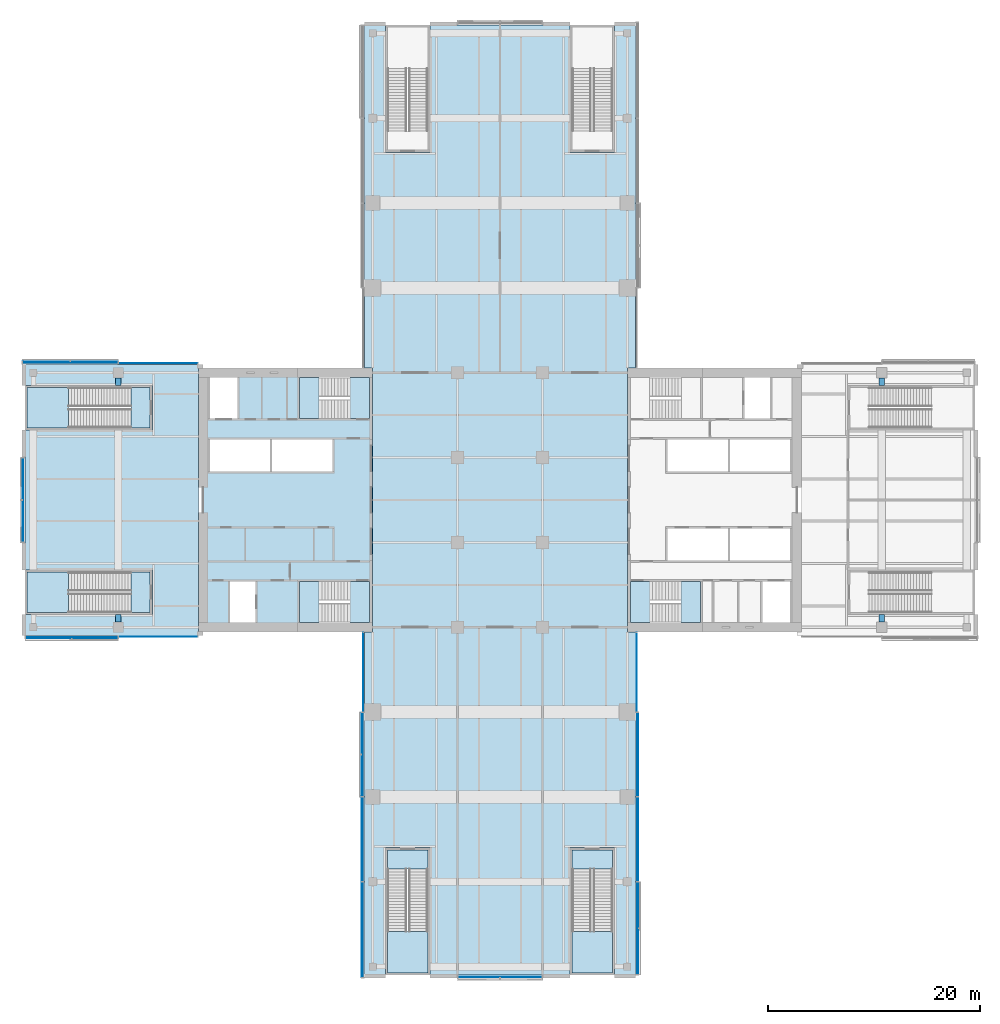
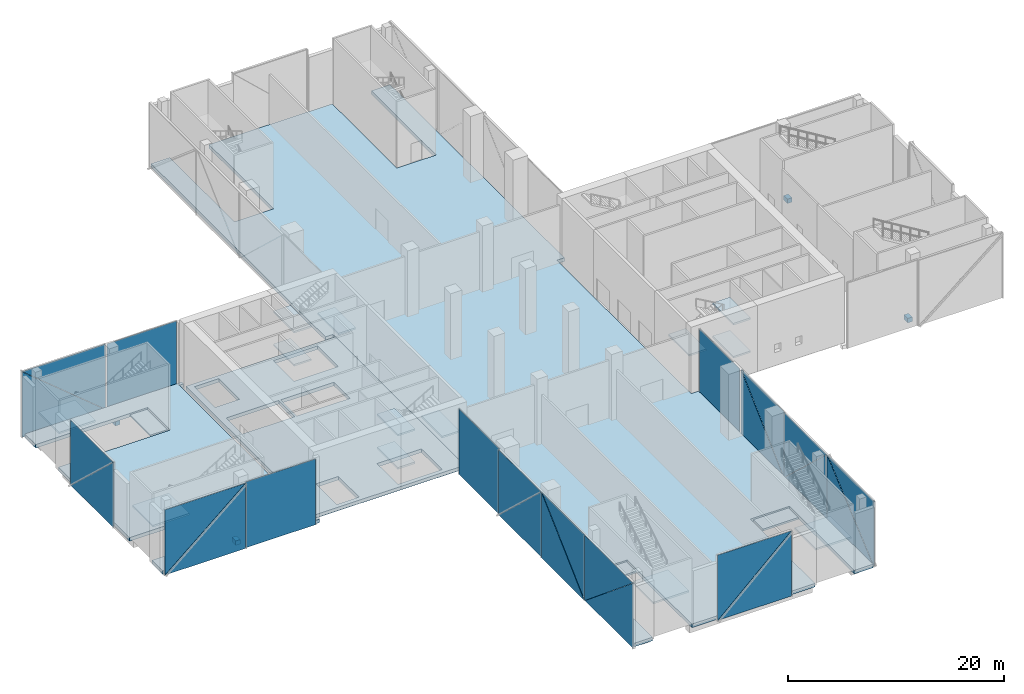
# One storey, part 12 of 25: 24 plates, 20 slabs, 4 beams, 17 elements without a shape of their own.
"""IFC4 building model written with IfcOpenShell, lengths in metres."""

import ifcopenshell
import ifcopenshell.guid

model = None  # the IFC model being written
_history = None  # IfcOwnerHistory: only IFC2X3 demands one
_inside = {}  # id of a spatial element -> (the spatial element, [elements in it])
_under = {}  # id of a project, library or spatial element -> (it, [spatial elements below it])
_declared = {}  # id of a project -> (the project, [libraries it declares])
_typed = {}  # id of a type object -> (the type object, [elements of that type])
_made_of = {}  # id of a material, layer set ... -> (it, [elements and type objects made of it])


def new_model(schema):
    """Start an empty IFC model of exactly this schema.

    Asked for "IFC4X3", IfcOpenShell would pick the latest addendum, in which some entities
    have other attributes; the version numbers below select the first issue.
    IFC2X3 requires an IfcOwnerHistory on every rooted entity: one is made here for all.
    """
    global model, _history
    if schema == "IFC4X3":
        model = ifcopenshell.file(schema_version=(4, 3, 0, 0))
    else:
        model = ifcopenshell.file(schema=schema)
    _inside.clear()
    _under.clear()
    _declared.clear()
    _typed.clear()
    _made_of.clear()
    _history = None
    if model.schema == "IFC2X3":
        org = make("IfcOrganization", Name="unknown")
        user = make(
            "IfcPersonAndOrganization",
            ThePerson=make("IfcPerson", FamilyName="unknown"),
            TheOrganization=org,
        )
        app = make(
            "IfcApplication",
            ApplicationDeveloper=org,
            Version="unknown",
            ApplicationFullName="unknown",
            ApplicationIdentifier="unknown",
        )
        _history = make(
            "IfcOwnerHistory",
            OwningUser=user,
            OwningApplication=app,
            ChangeAction="ADDED",
            CreationDate=0,
        )
    return model


def make(cls, **values):
    """One entity of the class cls with the attributes given. An attribute that is None is left unset."""
    return model.create_entity(
        cls, **{name: value for name, value in values.items() if value is not None}
    )


def rooted(cls, **values):
    """An entity with a GlobalId (a new one), such as an element, a storey or a relation."""
    return make(cls, GlobalId=ifcopenshell.guid.new(), OwnerHistory=_history, **values)


def si_unit(unit_type, name, prefix=None):
    """IfcSIUnit, for example si_unit("LENGTHUNIT", "METRE", prefix="MILLI")."""
    return make("IfcSIUnit", UnitType=unit_type, Prefix=prefix, Name=name)


def assignment(units):
    """IfcUnitAssignment: the units of a project."""
    return None if units is None else make("IfcUnitAssignment", Units=units)


def point(xyz):
    """IfcCartesianPoint."""
    return None if xyz is None else make("IfcCartesianPoint", Coordinates=xyz)


def direction(xyz):
    """IfcDirection."""
    return None if xyz is None else make("IfcDirection", DirectionRatios=xyz)


def frame(location, z_axis=None, x_axis=None):
    """IfcAxis2Placement3D, a coordinate frame: its origin and axes. An axis left out is left unset."""
    return make(
        "IfcAxis2Placement3D",
        Location=point(location),
        Axis=direction(z_axis),
        RefDirection=direction(x_axis),
    )


def frame_2d(location, x_axis=None):
    """IfcAxis2Placement2D, a coordinate frame in the plane: its origin and x axis."""
    return make(
        "IfcAxis2Placement2D", Location=point(location), RefDirection=direction(x_axis)
    )


def origin():
    """The frame at (0, 0, 0) with its axes left unset."""
    return frame((0.0, 0.0, 0.0))


def origin_2d():
    """The frame at (0, 0) in the plane with its x axis left unset."""
    return frame_2d((0.0, 0.0))


def place(relative_to, where):
    """IfcLocalPlacement: puts the frame where relative to a parent placement (None: the world)."""
    return make(
        "IfcLocalPlacement", PlacementRelTo=relative_to, RelativePlacement=where
    )


def context(
    kind, dimensions, precision=None, world=None, true_north=None, identifier=None
):
    """IfcGeometricRepresentationContext, for example the 3D "Model" context."""
    return make(
        "IfcGeometricRepresentationContext",
        ContextIdentifier=identifier,
        ContextType=kind,
        CoordinateSpaceDimension=dimensions,
        Precision=precision,
        WorldCoordinateSystem=world,
        TrueNorth=true_north,
    )


def subcontext(parent, identifier, kind, view, scale=None):
    """IfcGeometricRepresentationSubContext, for example "Body" below "Model"."""
    return make(
        "IfcGeometricRepresentationSubContext",
        ContextIdentifier=identifier,
        ContextType=kind,
        ParentContext=parent,
        TargetScale=scale,
        TargetView=view,
    )


def project(units=None, contexts=None):
    """IfcProject with its units and contexts."""
    return rooted(
        "IfcProject",
        Name="project",
        RepresentationContexts=contexts,
        UnitsInContext=assignment(units),
    )


def spatial(cls, under=None, at=None, **own):
    """A site, building, storey or space (cls), placed at a placement, below another one or the project."""
    s = rooted(cls, ObjectPlacement=at, **own)
    if under is not None:
        _under.setdefault(under.id(), (under, []))[1].append(s)
    return s


def polyline(points):
    """IfcPolyline through the points."""
    return make("IfcPolyline", Points=[point(p) for p in points])


def profile(cls, at=None, kind="AREA", **sizes):
    """A parametric profile (cls). Its sizes go by their IFC names, for example OverallWidth=200.0."""
    return make(cls, ProfileType=kind, Position=at, **sizes)


def rectangle(**sizes):
    """IfcRectangleProfileDef."""
    return profile("IfcRectangleProfileDef", **sizes)


def outline(outer, holes=None, kind="AREA"):
    """IfcArbitraryClosedProfileDef: a profile drawn as a closed curve; with holes, ...WithVoids."""
    if holes is None:
        return make("IfcArbitraryClosedProfileDef", ProfileType=kind, OuterCurve=outer)
    return make(
        "IfcArbitraryProfileDefWithVoids",
        ProfileType=kind,
        OuterCurve=outer,
        InnerCurves=holes,
    )


def extrude(swept, where, along, depth):
    """IfcExtrudedAreaSolid: the profile swept, set in the frame where, extruded along a direction by depth."""
    return make(
        "IfcExtrudedAreaSolid",
        SweptArea=swept,
        Position=where,
        ExtrudedDirection=direction(along),
        Depth=depth,
    )


def shape(context_of_items, identifier, shape_type, items):
    """IfcShapeRepresentation: the items that make up one representation, for example the "Body"."""
    return make(
        "IfcShapeRepresentation",
        ContextOfItems=context_of_items,
        RepresentationIdentifier=identifier,
        RepresentationType=shape_type,
        Items=items,
    )


def material(Name=None, Category=None):
    """IfcMaterial."""
    return make("IfcMaterial", Name=Name, Category=Category)


def layer(
    of_material, thickness, ventilated=None, Name=None, Category=None, Priority=None
):
    """IfcMaterialLayer: one layer of a wall or slab, of a material (None: an air gap)."""
    return make(
        "IfcMaterialLayer",
        Material=of_material,
        LayerThickness=thickness,
        IsVentilated=ventilated,
        Name=Name,
        Category=Category,
        Priority=Priority,
    )


def layer_set(layers, Name=None):
    """IfcMaterialLayerSet."""
    return make("IfcMaterialLayerSet", MaterialLayers=layers, LayerSetName=Name)


def material_profile(
    of_material, cross_section, Name=None, Category=None, Priority=None
):
    """IfcMaterialProfile: a cross section and its material."""
    return make(
        "IfcMaterialProfile",
        Name=Name,
        Material=of_material,
        Profile=cross_section,
        Priority=Priority,
        Category=Category,
    )


def profile_set(profiles, Name=None, composite=None):
    """IfcMaterialProfileSet."""
    return make(
        "IfcMaterialProfileSet",
        Name=Name,
        MaterialProfiles=profiles,
        CompositeProfile=composite,
    )


def made_of(thing, what):
    """Note that an element or type object is made of a material, layer set ...; save() writes the relation."""
    if what is not None:
        _made_of.setdefault(what.id(), (what, []))[1].append(thing)
    return thing


def type_object(cls, material=None, **own):
    """A type object (cls), such as IfcWallType, which elements share."""
    return made_of(rooted(cls, **own), material)


def element(
    cls,
    number,
    at=None,
    inside=None,
    cuts=None,
    type_object=None,
    material=None,
    context=None,
    identifier="Body",
    shape_type=None,
    held_by="IfcProductDefinitionShape",
    body=None,
    shapes=None,
    **own,
):
    """One element of the class cls, such as IfcWall. Its Tag is "e" and its number.

    at: its placement. inside: the storey or other place that contains it. cuts: it is an
    opening in that element (IfcRelVoidsElement). A single representation is given by context,
    identifier, shape_type and body (its items); several are given by shapes. held_by: the class
    of the entity that holds the representations. save() writes the other relations.
    """
    e = rooted(cls, Tag="e%d" % number, ObjectPlacement=at, **own)
    if body is not None:
        shapes = [shape(context, identifier, shape_type, body)]
    if shapes is not None:
        e.Representation = make(held_by, Representations=shapes)
    if inside is not None:
        _inside.setdefault(inside.id(), (inside, []))[1].append(e)
    if cuts is not None:
        rooted(
            "IfcRelVoidsElement", RelatingBuildingElement=cuts, RelatedOpeningElement=e
        )
    if type_object is not None:
        _typed.setdefault(type_object.id(), (type_object, []))[1].append(e)
    return made_of(e, material)


def aggregate(whole, parts):
    """IfcRelAggregates: a whole, such as a stair, and the parts it consists of."""
    return rooted("IfcRelAggregates", RelatingObject=whole, RelatedObjects=parts)


def save(model, path):
    """Write the relations noted so far, then the file.

    IfcRelAggregates (storeys below a building ...), IfcRelContainedInSpatialStructure (elements
    in a storey), IfcRelDefinesByType, IfcRelAssociatesMaterial and IfcRelDeclares: one each for
    every whole, place, type object, material and project.
    """
    for whole, parts in _under.values():
        aggregate(whole, parts)
    for where, things in _inside.values():
        rooted(
            "IfcRelContainedInSpatialStructure",
            RelatedElements=things,
            RelatingStructure=where,
        )
    for kind, things in _typed.values():
        rooted("IfcRelDefinesByType", RelatedObjects=things, RelatingType=kind)
    for what, things in _made_of.values():
        rooted("IfcRelAssociatesMaterial", RelatedObjects=things, RelatingMaterial=what)
    for by, libraries in _declared.values():
        rooted("IfcRelDeclares", RelatingContext=by, RelatedDefinitions=libraries)
    model.write(path)


model = new_model("IFC4")

# Units and contexts
model_context = context("Model", 3, precision=1e-05, world=origin(), true_north=direction((0.0, 1.0)))
body_context = subcontext(model_context, "Body", "Model", "MODEL_VIEW")
ifc_project = project(units=[si_unit("LENGTHUNIT", "METRE"), si_unit("AREAUNIT", "SQUARE_METRE"), si_unit("VOLUMEUNIT", "CUBIC_METRE"), si_unit("PLANEANGLEUNIT", "RADIAN"), si_unit("MASSUNIT", "GRAM", prefix="KILO")], contexts=[model_context])

# Site, building, storey
site_placement = place(None, origin())
site = spatial("IfcSite", under=ifc_project, at=site_placement, CompositionType="ELEMENT")
building_placement = place(site_placement, origin())
building = spatial("IfcBuilding", under=site, at=building_placement, Name="Crosswind Convention Tower", CompositionType="ELEMENT")
storey_placement = place(building_placement, frame((0.0, 0.0, 17.5)))
storey = spatial("IfcBuildingStorey", under=building, at=storey_placement, Name="L02", CompositionType="ELEMENT", Elevation=17.5)

# Beams
ifc_material_1 = material(Name="Concrete C60/75", Category="concrete")
ifc_material_profile = material_profile(ifc_material_1, rectangle(XDim=0.5, YDim=0.5, at=origin_2d()), Name="RC 500X500")
ifc_profile_set = profile_set([ifc_material_profile], Name="Concrete C60/75")
beam_type = type_object("IfcBeamType", Name="Slab edge tie beam RC 500X500", PredefinedType="BEAM", material=ifc_profile_set)
for number, where, z_axis, x_axis, name in (
    (1, (89.0, 88.5, -0.64990234375), (0.0, 1.0, 0.0), (-1.0, 0.0, 0.0), "B42 L02 slab edge tie beam 3"),
    (2, (89.0, 110.800048828125, -0.64990234375), (0.0, 1.0, 0.0), (-1.0, 0.0, 0.0), "B42 L02 slab edge tie beam 4"),
    (3, (161.0, 88.5, -0.64990234375), (0.0, 1.0, 0.0), (-1.0, 0.0, 0.0), "B42 L02 slab edge tie beam 13"),
    (4, (161.0, 110.800048828125, -0.64990234375), (0.0, 1.0, 0.0), (-1.0, 0.0, 0.0), "B42 L02 slab edge tie beam 14"),
):
    element("IfcBeam", number, at=place(storey_placement, frame(where, z_axis=z_axis, x_axis=x_axis)), inside=storey, type_object=beam_type, Name=name, PredefinedType="BEAM", context=body_context, shape_type="SweptSolid", body=[
        extrude(rectangle(XDim=0.5, YDim=0.5, at=origin_2d()), origin(), (0.0, 0.0, 1.0), 0.699951171875),
    ])

# Slabs
ifc_material_2 = material(Name="Concrete C40/50", Category="concrete")
ifc_layer_1 = layer(ifc_material_2, 0.39990234375)
ifc_layer_set_1 = layer_set([ifc_layer_1], Name="Concrete C40/50")
slab_type_1 = type_object("IfcSlabType", Name="Composite floor slab 400", PredefinedType="FLOOR", material=ifc_layer_set_1)
slab_1_placement = place(storey_placement, frame((0.0, 0.0, -0.39990234375)))
element("IfcSlab", 5, at=slab_1_placement, inside=storey, type_object=slab_type_1, Name="Floor slab L02 part 1", PredefinedType="FLOOR", context=body_context, shape_type="SweptSolid", body=[
    extrude(outline(polyline([(97.0, 112.449951171875), (96.550048828125, 112.449951171875), (96.550048828125, 87.550048828125), (97.0, 87.550048828125), (97.0, 87.199951171875), (81.0, 87.199951171875), (80.199951171875, 87.199951171875), (80.199951171875, 88.0), (80.199951171875, 89.199951171875), (92.199951171875, 89.199951171875), (92.199951171875, 93.39990234375), (80.199951171875, 93.39990234375), (80.199951171875, 106.60009765625), (92.199951171875, 106.60009765625), (92.199951171875, 110.800048828125), (80.199951171875, 110.800048828125), (80.199951171875, 112.0), (80.199951171875, 112.800048828125), (81.0, 112.800048828125), (97.0, 112.800048828125), (97.0, 112.449951171875)])), origin(), (0.0, 0.0, 1.0), 0.39990234375),
])
slab_2_placement = place(storey_placement, frame((0.0, 0.0, -0.39990234375)))
element("IfcSlab", 6, at=slab_2_placement, inside=storey, type_object=slab_type_1, Name="Floor slab L02 part 2", PredefinedType="FLOOR", context=body_context, shape_type="SweptSolid", body=[
    extrude(outline(polyline([(114.199951171875, 132.800048828125), (118.39990234375, 132.800048828125), (118.39990234375, 144.800048828125), (131.60009765625, 144.800048828125), (131.60009765625, 132.800048828125), (135.800048828125, 132.800048828125), (135.800048828125, 144.800048828125), (137.0, 144.800048828125), (137.800048828125, 144.800048828125), (137.800048828125, 144.0), (137.800048828125, 112.449951171875), (137.0, 112.449951171875), (137.0, 87.550048828125), (137.800048828125, 87.550048828125), (137.800048828125, 56.0), (137.800048828125, 55.199951171875), (137.0, 55.199951171875), (135.800048828125, 55.199951171875), (135.800048828125, 67.199951171875), (131.60009765625, 67.199951171875), (131.60009765625, 55.199951171875), (118.39990234375, 55.199951171875), (118.39990234375, 67.199951171875), (114.199951171875, 67.199951171875), (114.199951171875, 55.199951171875), (113.0, 55.199951171875), (112.199951171875, 55.199951171875), (112.199951171875, 56.0), (112.199951171875, 87.550048828125), (113.0, 87.550048828125), (113.0, 112.449951171875), (112.199951171875, 112.449951171875), (112.199951171875, 144.0), (112.199951171875, 144.800048828125), (113.0, 144.800048828125), (114.199951171875, 144.800048828125), (114.199951171875, 132.800048828125)])), origin(), (0.0, 0.0, 1.0), 0.39990234375),
])
ifc_layer_2 = layer(ifc_material_2, 0.39990234375)
ifc_layer_set_2 = layer_set([ifc_layer_2], Name="Concrete C40/50")
slab_type_2 = type_object("IfcSlabType", Name="Concrete core floor slab 400", PredefinedType="FLOOR", material=ifc_layer_set_2)
slab_3_placement = place(storey_placement, frame((0.0, 0.0, -0.39990234375)))
element("IfcSlab", 7, at=slab_3_placement, inside=storey, type_object=slab_type_2, Name="Core floor slab W L02", PredefinedType="FLOOR", context=body_context, shape_type="SweptSolid", body=[
    extrude(outline(polyline([(97.0, 88.0), (113.0, 88.0), (113.0, 112.0), (97.0, 112.0), (97.0, 88.0)]), holes=[polyline([(109.199951171875, 102.699951171875), (109.199951171875, 105.699951171875), (103.5, 105.699951171875), (103.5, 102.699951171875), (109.199951171875, 102.699951171875)]), polyline([(103.300048828125, 102.699951171875), (103.300048828125, 105.699951171875), (97.64990234375, 105.699951171875), (97.64990234375, 102.699951171875), (103.300048828125, 102.699951171875)]), polyline([(101.949951171875, 88.449951171875), (101.949951171875, 92.300048828125), (99.550048828125, 92.300048828125), (99.550048828125, 88.449951171875), (101.949951171875, 88.449951171875)]), polyline([(100.25, 107.699951171875), (100.25, 111.550048828125), (97.64990234375, 111.550048828125), (97.64990234375, 107.699951171875), (100.25, 107.699951171875)]), polyline([(110.85009765625, 88.449951171875), (110.85009765625, 92.300048828125), (106.10009765625, 92.300048828125), (106.10009765625, 88.449951171875), (110.85009765625, 88.449951171875)]), polyline([(110.85009765625, 107.699951171875), (110.85009765625, 111.550048828125), (106.10009765625, 111.550048828125), (106.10009765625, 107.699951171875), (110.85009765625, 107.699951171875)])]), origin(), (0.0, 0.0, 1.0), 0.39990234375),
])

# Stair, slabs
stair_type_1 = type_object("IfcStairType", Name="PODIUM EXIT STAIR 7500 RISE", PredefinedType="HALF_TURN_STAIR", material=ifc_material_2)
stair_1_placement = place(storey_placement, origin())
stair_1 = element("IfcStair", 8, at=stair_1_placement, inside=storey, type_object=stair_type_1, Name="Exit stair S1 L02", ObjectType="ST11", PredefinedType="HALF_TURN_STAIR")
ifc_layer_3 = layer(ifc_material_2, 0.199951171875)
ifc_layer_set_3 = layer_set([ifc_layer_3], Name="Concrete C40/50")
slab_type_3 = type_object("IfcSlabType", Name="PODIUM STAIR LANDING 200 FOR 22 RISERS", PredefinedType="LANDING", material=ifc_layer_set_3)
slab_4_placement = place(storey_placement, frame((0.0, 0.0, 3.550048828125)))
slab_4 = element("IfcSlab", 9, at=slab_4_placement, type_object=slab_type_3, Name="ST11 landing 1", PredefinedType="LANDING", context=body_context, shape_type="SweptSolid", body=[
    extrude(outline(polyline([(114.39990234375, 59.320068359375), (114.39990234375, 55.39990234375), (118.199951171875, 55.39990234375), (118.199951171875, 59.320068359375), (114.39990234375, 59.320068359375)])), origin(), (0.0, 0.0, 1.0), 0.199951171875),
])
slab_5_placement = place(storey_placement, frame((0.0, 0.0, -0.199951171875)))
slab_5 = element("IfcSlab", 10, at=slab_5_placement, type_object=slab_type_3, Name="ST11 landing 2", PredefinedType="LANDING", context=body_context, shape_type="SweptSolid", body=[
    extrude(outline(polyline([(114.39990234375, 67.0), (114.39990234375, 65.199951171875), (118.199951171875, 65.199951171875), (118.199951171875, 67.0), (114.39990234375, 67.0)])), origin(), (0.0, 0.0, 1.0), 0.199951171875),
])
aggregate(stair_1, [slab_4, slab_5])

stair_2_placement = place(storey_placement, origin())
stair_2 = element("IfcStair", 11, at=stair_2_placement, inside=storey, type_object=stair_type_1, Name="Exit stair S2 L02", ObjectType="ST11", PredefinedType="HALF_TURN_STAIR")
slab_6_placement = place(storey_placement, frame((0.0, 0.0, 3.550048828125)))
slab_6 = element("IfcSlab", 12, at=slab_6_placement, type_object=slab_type_3, Name="ST11 landing 1", PredefinedType="LANDING", context=body_context, shape_type="SweptSolid", body=[
    extrude(outline(polyline([(131.800048828125, 59.320068359375), (131.800048828125, 55.39990234375), (135.60009765625, 55.39990234375), (135.60009765625, 59.320068359375), (131.800048828125, 59.320068359375)])), origin(), (0.0, 0.0, 1.0), 0.199951171875),
])
slab_7_placement = place(storey_placement, frame((0.0, 0.0, -0.199951171875)))
slab_7 = element("IfcSlab", 13, at=slab_7_placement, type_object=slab_type_3, Name="ST11 landing 2", PredefinedType="LANDING", context=body_context, shape_type="SweptSolid", body=[
    extrude(outline(polyline([(131.800048828125, 67.0), (131.800048828125, 65.199951171875), (135.60009765625, 65.199951171875), (135.60009765625, 67.0), (131.800048828125, 67.0)])), origin(), (0.0, 0.0, 1.0), 0.199951171875),
])
aggregate(stair_2, [slab_6, slab_7])

stair_3_placement = place(storey_placement, origin())
stair_3 = element("IfcStair", 14, at=stair_3_placement, inside=storey, type_object=stair_type_1, Name="Exit stair W1 L02", ObjectType="ST11", PredefinedType="HALF_TURN_STAIR")
slab_8_placement = place(storey_placement, frame((0.0, 0.0, 3.550048828125)))
slab_8 = element("IfcSlab", 15, at=slab_8_placement, type_object=slab_type_3, Name="ST11 landing 1", PredefinedType="LANDING", context=body_context, shape_type="SweptSolid", body=[
    extrude(outline(polyline([(84.320068359375, 93.199951171875), (80.39990234375, 93.199951171875), (80.39990234375, 89.39990234375), (84.320068359375, 89.39990234375), (84.320068359375, 93.199951171875)])), origin(), (0.0, 0.0, 1.0), 0.199951171875),
])
slab_9_placement = place(storey_placement, frame((0.0, 0.0, -0.199951171875)))
slab_9 = element("IfcSlab", 16, at=slab_9_placement, type_object=slab_type_3, Name="ST11 landing 2", PredefinedType="LANDING", context=body_context, shape_type="SweptSolid", body=[
    extrude(outline(polyline([(92.0, 93.199951171875), (90.199951171875, 93.199951171875), (90.199951171875, 89.39990234375), (92.0, 89.39990234375), (92.0, 93.199951171875)])), origin(), (0.0, 0.0, 1.0), 0.199951171875),
])
aggregate(stair_3, [slab_8, slab_9])

stair_4_placement = place(storey_placement, origin())
stair_4 = element("IfcStair", 17, at=stair_4_placement, inside=storey, type_object=stair_type_1, Name="Exit stair W2 L02", ObjectType="ST11", PredefinedType="HALF_TURN_STAIR")
slab_10_placement = place(storey_placement, frame((0.0, 0.0, 3.550048828125)))
slab_10 = element("IfcSlab", 18, at=slab_10_placement, type_object=slab_type_3, Name="ST11 landing 1", PredefinedType="LANDING", context=body_context, shape_type="SweptSolid", body=[
    extrude(outline(polyline([(84.320068359375, 110.60009765625), (80.39990234375, 110.60009765625), (80.39990234375, 106.800048828125), (84.320068359375, 106.800048828125), (84.320068359375, 110.60009765625)])), origin(), (0.0, 0.0, 1.0), 0.199951171875),
])
slab_11_placement = place(storey_placement, frame((0.0, 0.0, -0.199951171875)))
slab_11 = element("IfcSlab", 19, at=slab_11_placement, type_object=slab_type_3, Name="ST11 landing 2", PredefinedType="LANDING", context=body_context, shape_type="SweptSolid", body=[
    extrude(outline(polyline([(92.0, 110.60009765625), (90.199951171875, 110.60009765625), (90.199951171875, 106.800048828125), (92.0, 106.800048828125), (92.0, 110.60009765625)])), origin(), (0.0, 0.0, 1.0), 0.199951171875),
])
aggregate(stair_4, [slab_10, slab_11])

stair_type_2 = type_object("IfcStairType", Name="Exit stair 1800 wide, 4 flights of 11 risers", PredefinedType="HALF_TURN_STAIR", material=ifc_material_2)
stair_5_placement = place(storey_placement, origin())
stair_5 = element("IfcStair", 20, at=stair_5_placement, inside=storey, type_object=stair_type_2, Name="Exit stair ST2 L02", ObjectType="ST6", PredefinedType="HALF_TURN_STAIR")
ifc_layer_4 = layer(ifc_material_2, 0.199951171875)
ifc_layer_set_4 = layer_set([ifc_layer_4], Name="Concrete C40/50")
slab_type_4 = type_object("IfcSlabType", Name="Stair landing 200", PredefinedType="LANDING", material=ifc_layer_set_4)
slab_12_placement = place(storey_placement, frame((0.0, 0.0, 1.675048828125)))
slab_12 = element("IfcSlab", 21, at=slab_12_placement, type_object=slab_type_4, Name="ST2 landing 1", PredefinedType="LANDING", context=body_context, shape_type="SweptSolid", body=[
    extrude(outline(polyline([(143.89990234375, 88.449951171875), (143.89990234375, 92.300048828125), (142.050048828125, 92.300048828125), (142.050048828125, 88.449951171875), (143.89990234375, 88.449951171875)])), origin(), (0.0, 0.0, 1.0), 0.199951171875),
])
slab_13_placement = place(storey_placement, frame((0.0, 0.0, 3.550048828125)))
slab_13 = element("IfcSlab", 22, at=slab_13_placement, type_object=slab_type_4, Name="ST2 landing 2", PredefinedType="LANDING", context=body_context, shape_type="SweptSolid", body=[
    extrude(outline(polyline([(139.14990234375, 88.449951171875), (139.14990234375, 92.300048828125), (137.300048828125, 92.300048828125), (137.300048828125, 88.449951171875), (139.14990234375, 88.449951171875)])), origin(), (0.0, 0.0, 1.0), 0.199951171875),
])
slab_14_placement = place(storey_placement, frame((0.0, 0.0, 5.425048828125)))
slab_14 = element("IfcSlab", 23, at=slab_14_placement, type_object=slab_type_4, Name="ST2 landing 3", PredefinedType="LANDING", context=body_context, shape_type="SweptSolid", body=[
    extrude(outline(polyline([(143.89990234375, 88.449951171875), (143.89990234375, 92.300048828125), (142.050048828125, 92.300048828125), (142.050048828125, 88.449951171875), (143.89990234375, 88.449951171875)])), origin(), (0.0, 0.0, 1.0), 0.199951171875),
])
aggregate(stair_5, [slab_12, slab_13, slab_14])

stair_6_placement = place(storey_placement, origin())
stair_6 = element("IfcStair", 24, at=stair_6_placement, inside=storey, type_object=stair_type_2, Name="Exit stair ST3 L02", ObjectType="ST6", PredefinedType="HALF_TURN_STAIR")
slab_15_placement = place(storey_placement, frame((0.0, 0.0, 1.675048828125)))
slab_15 = element("IfcSlab", 25, at=slab_15_placement, type_object=slab_type_4, Name="ST3 landing 1", PredefinedType="LANDING", context=body_context, shape_type="SweptSolid", body=[
    extrude(outline(polyline([(107.949951171875, 88.449951171875), (107.949951171875, 92.300048828125), (106.10009765625, 92.300048828125), (106.10009765625, 88.449951171875), (107.949951171875, 88.449951171875)])), origin(), (0.0, 0.0, 1.0), 0.199951171875),
])
slab_16_placement = place(storey_placement, frame((0.0, 0.0, 3.550048828125)))
slab_16 = element("IfcSlab", 26, at=slab_16_placement, type_object=slab_type_4, Name="ST3 landing 2", PredefinedType="LANDING", context=body_context, shape_type="SweptSolid", body=[
    extrude(outline(polyline([(112.699951171875, 88.449951171875), (112.699951171875, 92.300048828125), (110.85009765625, 92.300048828125), (110.85009765625, 88.449951171875), (112.699951171875, 88.449951171875)])), origin(), (0.0, 0.0, 1.0), 0.199951171875),
])
slab_17_placement = place(storey_placement, frame((0.0, 0.0, 5.425048828125)))
slab_17 = element("IfcSlab", 27, at=slab_17_placement, type_object=slab_type_4, Name="ST3 landing 3", PredefinedType="LANDING", context=body_context, shape_type="SweptSolid", body=[
    extrude(outline(polyline([(107.949951171875, 88.449951171875), (107.949951171875, 92.300048828125), (106.10009765625, 92.300048828125), (106.10009765625, 88.449951171875), (107.949951171875, 88.449951171875)])), origin(), (0.0, 0.0, 1.0), 0.199951171875),
])
aggregate(stair_6, [slab_15, slab_16, slab_17])

stair_7_placement = place(storey_placement, origin())
stair_7 = element("IfcStair", 28, at=stair_7_placement, inside=storey, type_object=stair_type_2, Name="Exit stair ST4 L02", ObjectType="ST6", PredefinedType="HALF_TURN_STAIR")
slab_18_placement = place(storey_placement, frame((0.0, 0.0, 1.675048828125)))
slab_18 = element("IfcSlab", 29, at=slab_18_placement, type_object=slab_type_4, Name="ST4 landing 1", PredefinedType="LANDING", context=body_context, shape_type="SweptSolid", body=[
    extrude(outline(polyline([(107.949951171875, 107.699951171875), (107.949951171875, 111.550048828125), (106.10009765625, 111.550048828125), (106.10009765625, 107.699951171875), (107.949951171875, 107.699951171875)])), origin(), (0.0, 0.0, 1.0), 0.199951171875),
])
slab_19_placement = place(storey_placement, frame((0.0, 0.0, 3.550048828125)))
slab_19 = element("IfcSlab", 30, at=slab_19_placement, type_object=slab_type_4, Name="ST4 landing 2", PredefinedType="LANDING", context=body_context, shape_type="SweptSolid", body=[
    extrude(outline(polyline([(112.699951171875, 107.699951171875), (112.699951171875, 111.550048828125), (110.85009765625, 111.550048828125), (110.85009765625, 107.699951171875), (112.699951171875, 107.699951171875)])), origin(), (0.0, 0.0, 1.0), 0.199951171875),
])
slab_20_placement = place(storey_placement, frame((0.0, 0.0, 5.425048828125)))
slab_20 = element("IfcSlab", 31, at=slab_20_placement, type_object=slab_type_4, Name="ST4 landing 3", PredefinedType="LANDING", context=body_context, shape_type="SweptSolid", body=[
    extrude(outline(polyline([(107.949951171875, 107.699951171875), (107.949951171875, 111.550048828125), (106.10009765625, 111.550048828125), (106.10009765625, 107.699951171875), (107.949951171875, 107.699951171875)])), origin(), (0.0, 0.0, 1.0), 0.199951171875),
])
aggregate(stair_7, [slab_18, slab_19, slab_20])

# Curtain wall, plate
ifc_material_3 = material(Name="Aluminium unitised curtain wall", Category="aluminium")
curtain_wall_type_1 = type_object("IfcCurtainWallType", Name="CORE END SLOT WALL 160", PredefinedType="USERDEFINED", material=ifc_material_3)
curtain_wall_1_placement = place(storey_placement, origin())
curtain_wall_1 = element("IfcCurtainWall", 32, at=curtain_wall_1_placement, inside=storey, type_object=curtain_wall_type_1, Name="CW6 L02 W-N.2-1 slot", ObjectType="UNITISED", PredefinedType="USERDEFINED")
ifc_material_4 = material(Name="Laminated insulating glass unit", Category="glass")
ifc_layer_5 = layer(ifc_material_4, 0.02587890625)
ifc_layer_set_5 = layer_set([ifc_layer_5], Name="TRIANGULAR GLASS PANEL 26")
plate_type_1 = type_object("IfcPlateType", Name="TRIANGULAR GLASS PANEL 26", PredefinedType="CURTAIN_PANEL", material=ifc_layer_set_5)
plate_1_placement = place(storey_placement, frame((96.5, 112.907470703125, -0.39990234375), z_axis=(0.0, 0.999999922678, 0.000393249191), x_axis=(-1.0, 0.0, 0.0)))
plate_1 = element("IfcPlate", 33, at=plate_1_placement, type_object=plate_type_1, Name="CW6 panel 1.1", PredefinedType="CURTAIN_PANEL", context=body_context, shape_type="SweptSolid", body=[
    extrude(outline(polyline([(0.0, 0.0), (7.449951171875, 0.0), (7.449951171875, 7.449951747923642), (0.0, 7.449951747923642), (0.0, 0.0)])), origin(), (0.0, 0.0, -1.0), 0.02587890625),
])
aggregate(curtain_wall_1, [plate_1])

curtain_wall_2_placement = place(storey_placement, origin())
curtain_wall_2 = element("IfcCurtainWall", 34, at=curtain_wall_2_placement, inside=storey, type_object=curtain_wall_type_1, Name="CW6 L02 W-S.1-2 slot", ObjectType="UNITISED", PredefinedType="USERDEFINED")
plate_2_placement = place(storey_placement, frame((89.050048828125, 87.092529296875, -0.39990234375), z_axis=(0.0, -0.999999922678, 0.000393249191), x_axis=(1.0, 0.0, 0.0)))
plate_2 = element("IfcPlate", 35, at=plate_2_placement, type_object=plate_type_1, Name="CW6 panel 1.1", PredefinedType="CURTAIN_PANEL", context=body_context, shape_type="SweptSolid", body=[
    extrude(outline(polyline([(0.0, 0.0), (7.449951171875, 0.0), (7.449951171875, 7.449951747923642), (0.0, 7.449951747923642), (0.0, 0.0)])), origin(), (0.0, 0.0, -1.0), 0.02587890625),
])
aggregate(curtain_wall_2, [plate_2])

curtain_wall_3_placement = place(storey_placement, origin())
curtain_wall_3 = element("IfcCurtainWall", 36, at=curtain_wall_3_placement, inside=storey, type_object=curtain_wall_type_1, Name="CW6 L02 S-W.1-1 slot", ObjectType="UNITISED", PredefinedType="USERDEFINED")
plate_3_placement = place(storey_placement, frame((112.092529296875, 87.5, -0.39990234375), z_axis=(-0.999999922678, 0.0, 0.000393249191), x_axis=(0.0, -1.0, 0.0)))
plate_3 = element("IfcPlate", 37, at=plate_3_placement, type_object=plate_type_1, Name="CW6 panel 1.1", PredefinedType="CURTAIN_PANEL", context=body_context, shape_type="SweptSolid", body=[
    extrude(outline(polyline([(0.0, 0.0), (7.449951171875, 0.0), (7.449951171875, 7.449951747923642), (0.0, 7.449951747923642), (0.0, 0.0)])), origin(), (0.0, 0.0, -1.0), 0.02587890625),
])
aggregate(curtain_wall_3, [plate_3])

curtain_wall_4_placement = place(storey_placement, origin())
curtain_wall_4 = element("IfcCurtainWall", 38, at=curtain_wall_4_placement, inside=storey, type_object=curtain_wall_type_1, Name="CW6 L02 S-E.1-4 slot", ObjectType="UNITISED", PredefinedType="USERDEFINED")
plate_4_placement = place(storey_placement, frame((137.907470703125, 80.050048828125, -0.39990234375), z_axis=(0.999999922678, 0.0, 0.000393249191), x_axis=(0.0, 1.0, 0.0)))
plate_4 = element("IfcPlate", 39, at=plate_4_placement, type_object=plate_type_1, Name="CW6 panel 1.1", PredefinedType="CURTAIN_PANEL", context=body_context, shape_type="SweptSolid", body=[
    extrude(outline(polyline([(0.0, 0.0), (7.449951171875, 0.0), (7.449951171875, 7.449951747923642), (0.0, 7.449951747923642), (0.0, 0.0)])), origin(), (0.0, 0.0, -1.0), 0.02587890625),
])
aggregate(curtain_wall_4, [plate_4])

# Curtain wall, plates
curtain_wall_type_2 = type_object("IfcCurtainWallType", Name="PODIUM UNITISED WALL 300", PredefinedType="USERDEFINED", material=ifc_material_3)
curtain_wall_5_placement = place(storey_placement, origin())
curtain_wall_5 = element("IfcCurtainWall", 40, at=curtain_wall_5_placement, inside=storey, type_object=curtain_wall_type_2, Name="CW1 L02 W-N 2", ObjectType="UNITISED", PredefinedType="USERDEFINED")
ifc_layer_6 = layer(ifc_material_4, 0.035888671875)
ifc_layer_set_6 = layer_set([ifc_layer_6], Name="TRIANGULAR GLASS PANEL 36")
plate_type_2 = type_object("IfcPlateType", Name="TRIANGULAR GLASS PANEL 36", PredefinedType="CURTAIN_PANEL", material=ifc_layer_set_6)
plate_5_placement = place(storey_placement, frame((79.9951171875, 112.987548828125, -0.39990234375), z_axis=(0.0, 0.999999921778, 0.000395530474), x_axis=(0.0, -0.000395530474, 0.999999921778)))
plate_5 = element("IfcPlate", 41, at=plate_5_placement, type_object=plate_type_2, Name="CW1 panel 1.1", PredefinedType="CURTAIN_PANEL", context=body_context, shape_type="SweptSolid", body=[
    extrude(outline(polyline([(0.0, 0.0), (7.406983001265367, 0.0), (0.0, 8.94921875), (0.0, 0.0)])), origin(), (0.0, 0.0, -1.0), 0.035888671875),
])
plate_6_placement = place(storey_placement, frame((88.9599609375, 113.0224609375, 7.02001953125), z_axis=(0.0, 0.999999921778, 0.000395530474), x_axis=(0.0, 0.000395530474, -0.999999921778)))
plate_6 = element("IfcPlate", 42, at=plate_6_placement, type_object=plate_type_2, Name="CW1 panel 1.2", PredefinedType="CURTAIN_PANEL", context=body_context, shape_type="SweptSolid", body=[
    extrude(outline(polyline([(0.0, 0.0), (7.406983001265367, 0.0), (0.0, 8.94921875), (0.0, 0.0)])), origin(), (0.0, 0.0, -1.0), 0.035888671875),
])
aggregate(curtain_wall_5, [plate_5, plate_6])

curtain_wall_6_placement = place(storey_placement, origin())
curtain_wall_6 = element("IfcCurtainWall", 43, at=curtain_wall_6_placement, inside=storey, type_object=curtain_wall_type_2, Name="CW1 L02 W-TIP 1", ObjectType="UNITISED", PredefinedType="USERDEFINED")
plate_7_placement = place(storey_placement, frame((80.012451171875, 96.0400390625, -0.39990234375), z_axis=(-0.999999921762, 0.0, 0.000395569589), x_axis=(0.000395569589, 0.0, 0.999999921762)))
plate_7 = element("IfcPlate", 44, at=plate_7_placement, type_object=plate_type_2, Name="CW1 panel 1.1", PredefinedType="CURTAIN_PANEL", context=body_context, shape_type="SweptSolid", body=[
    extrude(outline(polyline([(0.0, 0.0), (7.406250579447663, 0.0), (0.0, 7.9052734375), (0.0, 0.0)])), origin(), (0.0, 0.0, -1.0), 0.035888671875),
])
plate_8_placement = place(storey_placement, frame((79.9775390625, 103.9599609375, 7.02001953125), z_axis=(-0.999999921762, 0.0, 0.000395569589), x_axis=(-0.000395569589, 0.0, -0.999999921762)))
plate_8 = element("IfcPlate", 45, at=plate_8_placement, type_object=plate_type_2, Name="CW1 panel 1.2", PredefinedType="CURTAIN_PANEL", context=body_context, shape_type="SweptSolid", body=[
    extrude(outline(polyline([(0.0, 0.0), (7.406250579447663, 0.0), (0.0, 7.9052734375), (0.0, 0.0)])), origin(), (0.0, 0.0, -1.0), 0.035888671875),
])
aggregate(curtain_wall_6, [plate_7, plate_8])

curtain_wall_7_placement = place(storey_placement, origin())
curtain_wall_7 = element("IfcCurtainWall", 46, at=curtain_wall_7_placement, inside=storey, type_object=curtain_wall_type_2, Name="CW1 L02 W-S 1", ObjectType="UNITISED", PredefinedType="USERDEFINED")
plate_9_placement = place(storey_placement, frame((88.9599609375, 87.012451171875, -0.39990234375), z_axis=(0.0, -0.999999921773, 0.000395543512), x_axis=(0.0, 0.000395543512, 0.999999921773)))
plate_9 = element("IfcPlate", 47, at=plate_9_placement, type_object=plate_type_2, Name="CW1 panel 1.1", PredefinedType="CURTAIN_PANEL", context=body_context, shape_type="SweptSolid", body=[
    extrude(outline(polyline([(0.0, 0.0), (7.406738860659464, 0.0), (0.0, 8.66455078125), (0.0, 0.0)])), origin(), (0.0, 0.0, -1.0), 0.035888671875),
])
plate_10_placement = place(storey_placement, frame((80.280029296875, 86.9775390625, 7.02001953125), z_axis=(0.0, -0.999999921778, 0.000395530474), x_axis=(0.0, -0.000395530474, -0.999999921778)))
plate_10 = element("IfcPlate", 48, at=plate_10_placement, type_object=plate_type_2, Name="CW1 panel 1.2", PredefinedType="CURTAIN_PANEL", context=body_context, shape_type="SweptSolid", body=[
    extrude(outline(polyline([(0.0, 0.0), (7.406983001265367, 0.0), (0.0, 8.664550781250002), (0.0, 0.0)])), origin(), (0.0, 0.0, -1.0), 0.035888671875),
])
aggregate(curtain_wall_7, [plate_9, plate_10])

curtain_wall_8_placement = place(storey_placement, origin())
curtain_wall_8 = element("IfcCurtainWall", 49, at=curtain_wall_8_placement, inside=storey, type_object=curtain_wall_type_2, Name="CW1 L02 S-W 1", ObjectType="UNITISED", PredefinedType="USERDEFINED")
plate_11_placement = place(storey_placement, frame((112.012451171875, 72.0400390625, -0.39990234375), z_axis=(-0.999999921762, 0.0, 0.000395569589), x_axis=(0.000395569589, 0.0, 0.999999921762)))
plate_11 = element("IfcPlate", 50, at=plate_11_placement, type_object=plate_type_2, Name="CW1 panel 1.1", PredefinedType="CURTAIN_PANEL", context=body_context, shape_type="SweptSolid", body=[
    extrude(outline(polyline([(0.0, 0.0), (7.406250579447663, 0.0), (0.0, 7.9052734375), (0.0, 0.0)])), origin(), (0.0, 0.0, -1.0), 0.035888671875),
])
plate_12_placement = place(storey_placement, frame((111.9775390625, 79.9599609375, 7.02001953125), z_axis=(-0.999999921762, 0.0, 0.000395569589), x_axis=(-0.000395569589, 0.0, -0.999999921762)))
plate_12 = element("IfcPlate", 51, at=plate_12_placement, type_object=plate_type_2, Name="CW1 panel 1.2", PredefinedType="CURTAIN_PANEL", context=body_context, shape_type="SweptSolid", body=[
    extrude(outline(polyline([(0.0, 0.0), (7.406250579447663, 0.0), (0.0, 7.9052734375), (0.0, 0.0)])), origin(), (0.0, 0.0, -1.0), 0.035888671875),
])
plate_13_placement = place(storey_placement, frame((112.015380859375, 64.0400390625, 7.02001953125), z_axis=(-0.999999921762, 0.0, 0.000395569589), x_axis=(0.0, 1.0, 0.0)))
plate_13 = element("IfcPlate", 52, at=plate_13_placement, type_object=plate_type_2, Name="CW1 panel 2.1", PredefinedType="CURTAIN_PANEL", context=body_context, shape_type="SweptSolid", body=[
    extrude(outline(polyline([(0.0, 0.0), (7.9052734375, 0.0), (0.0, 7.406250579447663), (0.0, 0.0)])), origin(), (0.0, 0.0, -1.0), 0.035888671875),
])
plate_14_placement = place(storey_placement, frame((111.974609375, 71.9599609375, -0.39990234375), z_axis=(-0.999999921762, 0.0, 0.000395569589), x_axis=(0.0, -1.0, 0.0)))
plate_14 = element("IfcPlate", 53, at=plate_14_placement, type_object=plate_type_2, Name="CW1 panel 2.2", PredefinedType="CURTAIN_PANEL", context=body_context, shape_type="SweptSolid", body=[
    extrude(outline(polyline([(0.0, 0.0), (7.9052734375, 0.0), (0.0, 7.406250579447663), (0.0, 0.0)])), origin(), (0.0, 0.0, -1.0), 0.035888671875),
])
plate_15_placement = place(storey_placement, frame((112.012451171875, 54.9951171875, -0.39990234375), z_axis=(-0.999999921778, 0.0, 0.000395530474), x_axis=(0.000395530474, 0.0, 0.999999921778)))
plate_15 = element("IfcPlate", 54, at=plate_15_placement, type_object=plate_type_2, Name="CW1 panel 3.1", PredefinedType="CURTAIN_PANEL", context=body_context, shape_type="SweptSolid", body=[
    extrude(outline(polyline([(0.0, 0.0), (7.406983001265367, 0.0), (0.0, 8.94921875), (0.0, 0.0)])), origin(), (0.0, 0.0, -1.0), 0.035888671875),
])
plate_16_placement = place(storey_placement, frame((111.9775390625, 63.9599609375, 7.02001953125), z_axis=(-0.999999921778, 0.0, 0.000395530474), x_axis=(-0.000395530474, 0.0, -0.999999921778)))
plate_16 = element("IfcPlate", 55, at=plate_16_placement, type_object=plate_type_2, Name="CW1 panel 3.2", PredefinedType="CURTAIN_PANEL", context=body_context, shape_type="SweptSolid", body=[
    extrude(outline(polyline([(0.0, 0.0), (7.406983001265367, 0.0), (0.0, 8.94921875), (0.0, 0.0)])), origin(), (0.0, 0.0, -1.0), 0.035888671875),
])
aggregate(curtain_wall_8, [plate_11, plate_12, plate_13, plate_14, plate_15, plate_16])

curtain_wall_9_placement = place(storey_placement, origin())
curtain_wall_9 = element("IfcCurtainWall", 56, at=curtain_wall_9_placement, inside=storey, type_object=curtain_wall_type_2, Name="CW1 L02 S-TIP 1", ObjectType="UNITISED", PredefinedType="USERDEFINED")
plate_17_placement = place(storey_placement, frame((128.9599609375, 55.012451171875, -0.39990234375), z_axis=(0.0, -0.999999921762, 0.000395569589), x_axis=(0.0, 0.000395569589, 0.999999921762)))
plate_17 = element("IfcPlate", 57, at=plate_17_placement, type_object=plate_type_2, Name="CW1 panel 1.1", PredefinedType="CURTAIN_PANEL", context=body_context, shape_type="SweptSolid", body=[
    extrude(outline(polyline([(0.0, 0.0), (7.406250579447663, 0.0), (0.0, 7.9052734375), (0.0, 0.0)])), origin(), (0.0, 0.0, -1.0), 0.035888671875),
])
plate_18_placement = place(storey_placement, frame((121.0400390625, 54.9775390625, 7.02001953125), z_axis=(0.0, -0.999999921762, 0.000395569589), x_axis=(0.0, -0.000395569589, -0.999999921762)))
plate_18 = element("IfcPlate", 58, at=plate_18_placement, type_object=plate_type_2, Name="CW1 panel 1.2", PredefinedType="CURTAIN_PANEL", context=body_context, shape_type="SweptSolid", body=[
    extrude(outline(polyline([(0.0, 0.0), (7.406250579447663, 0.0), (0.0, 7.9052734375), (0.0, 0.0)])), origin(), (0.0, 0.0, -1.0), 0.035888671875),
])
aggregate(curtain_wall_9, [plate_17, plate_18])

curtain_wall_10_placement = place(storey_placement, origin())
curtain_wall_10 = element("IfcCurtainWall", 59, at=curtain_wall_10_placement, inside=storey, type_object=curtain_wall_type_2, Name="CW1 L02 S-E 1", ObjectType="UNITISED", PredefinedType="USERDEFINED")
plate_19_placement = place(storey_placement, frame((137.987548828125, 63.9599609375, -0.39990234375), z_axis=(0.999999921773, 0.0, 0.000395543512), x_axis=(-0.000395543512, 0.0, 0.999999921773)))
plate_19 = element("IfcPlate", 60, at=plate_19_placement, type_object=plate_type_2, Name="CW1 panel 1.1", PredefinedType="CURTAIN_PANEL", context=body_context, shape_type="SweptSolid", body=[
    extrude(outline(polyline([(0.0, 0.0), (7.406738860659464, 0.0), (0.0, 8.66455078125), (0.0, 0.0)])), origin(), (0.0, 0.0, -1.0), 0.035888671875),
])
plate_20_placement = place(storey_placement, frame((138.0224609375, 55.280029296875, 7.02001953125), z_axis=(0.999999921778, 0.0, 0.000395530474), x_axis=(0.000395530474, 0.0, -0.999999921778)))
plate_20 = element("IfcPlate", 61, at=plate_20_placement, type_object=plate_type_2, Name="CW1 panel 1.2", PredefinedType="CURTAIN_PANEL", context=body_context, shape_type="SweptSolid", body=[
    extrude(outline(polyline([(0.0, 0.0), (7.406983001265367, 0.0), (0.0, 8.664550781250002), (0.0, 0.0)])), origin(), (0.0, 0.0, -1.0), 0.035888671875),
])
plate_21_placement = place(storey_placement, frame((137.984619140625, 71.9599609375, 7.02001953125), z_axis=(0.999999921762, 0.0, 0.000395569589), x_axis=(0.0, -1.0, 0.0)))
plate_21 = element("IfcPlate", 62, at=plate_21_placement, type_object=plate_type_2, Name="CW1 panel 2.1", PredefinedType="CURTAIN_PANEL", context=body_context, shape_type="SweptSolid", body=[
    extrude(outline(polyline([(0.0, 0.0), (7.9052734375, 0.0), (0.0, 7.406250579447663), (0.0, 0.0)])), origin(), (0.0, 0.0, -1.0), 0.035888671875),
])
plate_22_placement = place(storey_placement, frame((138.025390625, 64.0400390625, -0.39990234375), z_axis=(0.999999921762, 0.0, 0.000395569589), x_axis=(0.0, 1.0, 0.0)))
plate_22 = element("IfcPlate", 63, at=plate_22_placement, type_object=plate_type_2, Name="CW1 panel 2.2", PredefinedType="CURTAIN_PANEL", context=body_context, shape_type="SweptSolid", body=[
    extrude(outline(polyline([(0.0, 0.0), (7.9052734375, 0.0), (0.0, 7.406250579447663), (0.0, 0.0)])), origin(), (0.0, 0.0, -1.0), 0.035888671875),
])
plate_23_placement = place(storey_placement, frame((137.987548828125, 79.9599609375, -0.39990234375), z_axis=(0.999999921762, 0.0, 0.000395569589), x_axis=(-0.000395569589, 0.0, 0.999999921762)))
plate_23 = element("IfcPlate", 64, at=plate_23_placement, type_object=plate_type_2, Name="CW1 panel 3.1", PredefinedType="CURTAIN_PANEL", context=body_context, shape_type="SweptSolid", body=[
    extrude(outline(polyline([(0.0, 0.0), (7.406250579447663, 0.0), (0.0, 7.9052734375), (0.0, 0.0)])), origin(), (0.0, 0.0, -1.0), 0.035888671875),
])
plate_24_placement = place(storey_placement, frame((138.0224609375, 72.0400390625, 7.02001953125), z_axis=(0.999999921762, 0.0, 0.000395569589), x_axis=(0.000395569589, 0.0, -0.999999921762)))
plate_24 = element("IfcPlate", 65, at=plate_24_placement, type_object=plate_type_2, Name="CW1 panel 3.2", PredefinedType="CURTAIN_PANEL", context=body_context, shape_type="SweptSolid", body=[
    extrude(outline(polyline([(0.0, 0.0), (7.406250579447663, 0.0), (0.0, 7.9052734375), (0.0, 0.0)])), origin(), (0.0, 0.0, -1.0), 0.035888671875),
])
aggregate(curtain_wall_10, [plate_19, plate_20, plate_21, plate_22, plate_23, plate_24])

save(model, "model.ifc")
